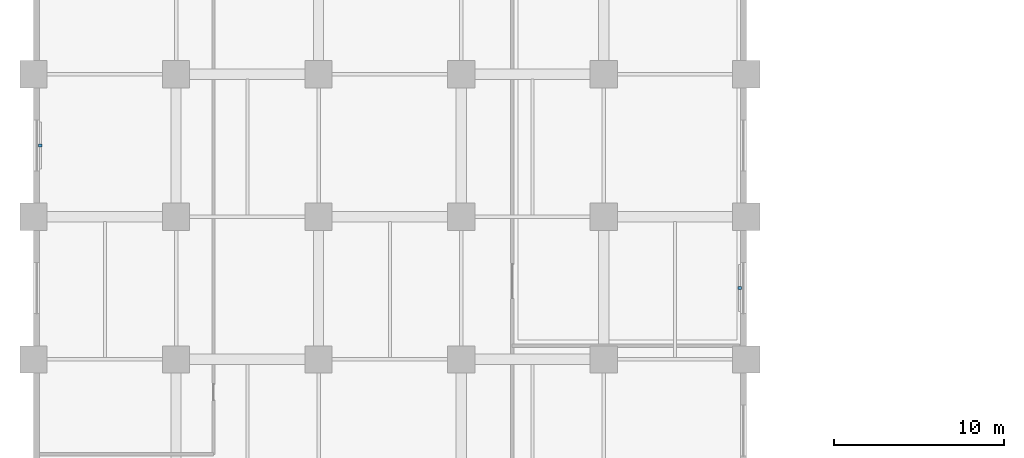
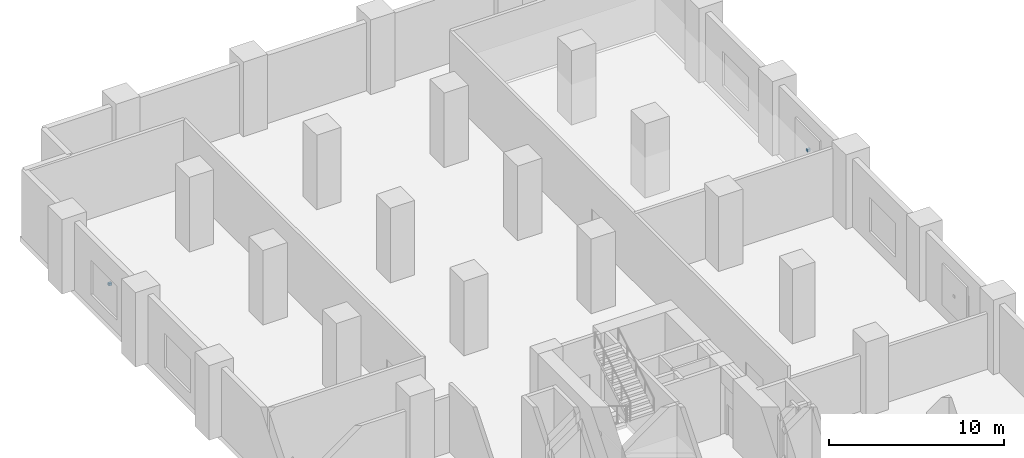
# One storey, part 19 of 23: 2 discrete accessories.
"""IFC4 building model written with IfcOpenShell, lengths in metres."""

import ifcopenshell
import ifcopenshell.guid

model = None  # the IFC model being written
_history = None  # IfcOwnerHistory: only IFC2X3 demands one
_inside = {}  # id of a spatial element -> (the spatial element, [elements in it])
_under = {}  # id of a project, library or spatial element -> (it, [spatial elements below it])
_declared = {}  # id of a project -> (the project, [libraries it declares])
_typed = {}  # id of a type object -> (the type object, [elements of that type])
_made_of = {}  # id of a material, layer set ... -> (it, [elements and type objects made of it])


def new_model(schema):
    """Start an empty IFC model of exactly this schema.

    Asked for "IFC4X3", IfcOpenShell would pick the latest addendum, in which some entities
    have other attributes; the version numbers below select the first issue.
    IFC2X3 requires an IfcOwnerHistory on every rooted entity: one is made here for all.
    """
    global model, _history
    if schema == "IFC4X3":
        model = ifcopenshell.file(schema_version=(4, 3, 0, 0))
    else:
        model = ifcopenshell.file(schema=schema)
    _inside.clear()
    _under.clear()
    _declared.clear()
    _typed.clear()
    _made_of.clear()
    _history = None
    if model.schema == "IFC2X3":
        org = make("IfcOrganization", Name="unknown")
        user = make(
            "IfcPersonAndOrganization",
            ThePerson=make("IfcPerson", FamilyName="unknown"),
            TheOrganization=org,
        )
        app = make(
            "IfcApplication",
            ApplicationDeveloper=org,
            Version="unknown",
            ApplicationFullName="unknown",
            ApplicationIdentifier="unknown",
        )
        _history = make(
            "IfcOwnerHistory",
            OwningUser=user,
            OwningApplication=app,
            ChangeAction="ADDED",
            CreationDate=0,
        )
    return model


def make(cls, **values):
    """One entity of the class cls with the attributes given. An attribute that is None is left unset."""
    return model.create_entity(
        cls, **{name: value for name, value in values.items() if value is not None}
    )


def rooted(cls, **values):
    """An entity with a GlobalId (a new one), such as an element, a storey or a relation."""
    return make(cls, GlobalId=ifcopenshell.guid.new(), OwnerHistory=_history, **values)


def si_unit(unit_type, name, prefix=None):
    """IfcSIUnit, for example si_unit("LENGTHUNIT", "METRE", prefix="MILLI")."""
    return make("IfcSIUnit", UnitType=unit_type, Prefix=prefix, Name=name)


def assignment(units):
    """IfcUnitAssignment: the units of a project."""
    return None if units is None else make("IfcUnitAssignment", Units=units)


def point(xyz):
    """IfcCartesianPoint."""
    return None if xyz is None else make("IfcCartesianPoint", Coordinates=xyz)


def direction(xyz):
    """IfcDirection."""
    return None if xyz is None else make("IfcDirection", DirectionRatios=xyz)


def frame(location, z_axis=None, x_axis=None):
    """IfcAxis2Placement3D, a coordinate frame: its origin and axes. An axis left out is left unset."""
    return make(
        "IfcAxis2Placement3D",
        Location=point(location),
        Axis=direction(z_axis),
        RefDirection=direction(x_axis),
    )


def frame_2d(location, x_axis=None):
    """IfcAxis2Placement2D, a coordinate frame in the plane: its origin and x axis."""
    return make(
        "IfcAxis2Placement2D", Location=point(location), RefDirection=direction(x_axis)
    )


def origin():
    """The frame at (0, 0, 0) with its axes left unset."""
    return frame((0.0, 0.0, 0.0))


def origin_2d():
    """The frame at (0, 0) in the plane with its x axis left unset."""
    return frame_2d((0.0, 0.0))


def place(relative_to, where):
    """IfcLocalPlacement: puts the frame where relative to a parent placement (None: the world)."""
    return make(
        "IfcLocalPlacement", PlacementRelTo=relative_to, RelativePlacement=where
    )


def context(
    kind, dimensions, precision=None, world=None, true_north=None, identifier=None
):
    """IfcGeometricRepresentationContext, for example the 3D "Model" context."""
    return make(
        "IfcGeometricRepresentationContext",
        ContextIdentifier=identifier,
        ContextType=kind,
        CoordinateSpaceDimension=dimensions,
        Precision=precision,
        WorldCoordinateSystem=world,
        TrueNorth=true_north,
    )


def subcontext(parent, identifier, kind, view, scale=None):
    """IfcGeometricRepresentationSubContext, for example "Body" below "Model"."""
    return make(
        "IfcGeometricRepresentationSubContext",
        ContextIdentifier=identifier,
        ContextType=kind,
        ParentContext=parent,
        TargetScale=scale,
        TargetView=view,
    )


def project(units=None, contexts=None):
    """IfcProject with its units and contexts."""
    return rooted(
        "IfcProject",
        Name="project",
        RepresentationContexts=contexts,
        UnitsInContext=assignment(units),
    )


def spatial(cls, under=None, at=None, **own):
    """A site, building, storey or space (cls), placed at a placement, below another one or the project."""
    s = rooted(cls, ObjectPlacement=at, **own)
    if under is not None:
        _under.setdefault(under.id(), (under, []))[1].append(s)
    return s


def profile(cls, at=None, kind="AREA", **sizes):
    """A parametric profile (cls). Its sizes go by their IFC names, for example OverallWidth=200.0."""
    return make(cls, ProfileType=kind, Position=at, **sizes)


def rectangle(**sizes):
    """IfcRectangleProfileDef."""
    return profile("IfcRectangleProfileDef", **sizes)


def extrude(swept, where, along, depth):
    """IfcExtrudedAreaSolid: the profile swept, set in the frame where, extruded along a direction by depth."""
    return make(
        "IfcExtrudedAreaSolid",
        SweptArea=swept,
        Position=where,
        ExtrudedDirection=direction(along),
        Depth=depth,
    )


def shape(context_of_items, identifier, shape_type, items):
    """IfcShapeRepresentation: the items that make up one representation, for example the "Body"."""
    return make(
        "IfcShapeRepresentation",
        ContextOfItems=context_of_items,
        RepresentationIdentifier=identifier,
        RepresentationType=shape_type,
        Items=items,
    )


def material(Name=None, Category=None):
    """IfcMaterial."""
    return make("IfcMaterial", Name=Name, Category=Category)


def made_of(thing, what):
    """Note that an element or type object is made of a material, layer set ...; save() writes the relation."""
    if what is not None:
        _made_of.setdefault(what.id(), (what, []))[1].append(thing)
    return thing


def type_object(cls, material=None, **own):
    """A type object (cls), such as IfcWallType, which elements share."""
    return made_of(rooted(cls, **own), material)


def element(
    cls,
    number,
    at=None,
    inside=None,
    cuts=None,
    type_object=None,
    material=None,
    context=None,
    identifier="Body",
    shape_type=None,
    held_by="IfcProductDefinitionShape",
    body=None,
    shapes=None,
    **own,
):
    """One element of the class cls, such as IfcWall. Its Tag is "e" and its number.

    at: its placement. inside: the storey or other place that contains it. cuts: it is an
    opening in that element (IfcRelVoidsElement). A single representation is given by context,
    identifier, shape_type and body (its items); several are given by shapes. held_by: the class
    of the entity that holds the representations. save() writes the other relations.
    """
    e = rooted(cls, Tag="e%d" % number, ObjectPlacement=at, **own)
    if body is not None:
        shapes = [shape(context, identifier, shape_type, body)]
    if shapes is not None:
        e.Representation = make(held_by, Representations=shapes)
    if inside is not None:
        _inside.setdefault(inside.id(), (inside, []))[1].append(e)
    if cuts is not None:
        rooted(
            "IfcRelVoidsElement", RelatingBuildingElement=cuts, RelatedOpeningElement=e
        )
    if type_object is not None:
        _typed.setdefault(type_object.id(), (type_object, []))[1].append(e)
    return made_of(e, material)


def aggregate(whole, parts):
    """IfcRelAggregates: a whole, such as a stair, and the parts it consists of."""
    return rooted("IfcRelAggregates", RelatingObject=whole, RelatedObjects=parts)


def save(model, path):
    """Write the relations noted so far, then the file.

    IfcRelAggregates (storeys below a building ...), IfcRelContainedInSpatialStructure (elements
    in a storey), IfcRelDefinesByType, IfcRelAssociatesMaterial and IfcRelDeclares: one each for
    every whole, place, type object, material and project.
    """
    for whole, parts in _under.values():
        aggregate(whole, parts)
    for where, things in _inside.values():
        rooted(
            "IfcRelContainedInSpatialStructure",
            RelatedElements=things,
            RelatingStructure=where,
        )
    for kind, things in _typed.values():
        rooted("IfcRelDefinesByType", RelatedObjects=things, RelatingType=kind)
    for what, things in _made_of.values():
        rooted("IfcRelAssociatesMaterial", RelatedObjects=things, RelatingMaterial=what)
    for by, libraries in _declared.values():
        rooted("IfcRelDeclares", RelatingContext=by, RelatedDefinitions=libraries)
    model.write(path)


model = new_model("IFC4")

# Units and contexts
model_context = context("Model", 3, precision=1e-05, world=origin(), true_north=direction((0.0, 1.0)))
body_context = subcontext(model_context, "Body", "Model", "MODEL_VIEW")
ifc_project = project(units=[si_unit("LENGTHUNIT", "METRE"), si_unit("AREAUNIT", "SQUARE_METRE"), si_unit("VOLUMEUNIT", "CUBIC_METRE"), si_unit("PLANEANGLEUNIT", "RADIAN"), si_unit("MASSUNIT", "GRAM", prefix="KILO")], contexts=[model_context])

# Site, building, storey
site_placement = place(None, origin())
site = spatial("IfcSite", under=ifc_project, at=site_placement, CompositionType="ELEMENT")
building_placement = place(site_placement, origin())
building = spatial("IfcBuilding", under=site, at=building_placement, Name="Koriwani Terraces Tower", CompositionType="ELEMENT")
storey_placement = place(building_placement, frame((0.0, 0.0, 20.800048828125)))
storey = spatial("IfcBuildingStorey", under=building, at=storey_placement, Name="L04", CompositionType="ELEMENT", Elevation=20.800048828125)

# Discrete accessories
ifc_material = material(Name="Steel ASTM A572 Grade 50", Category="steel")
discrete_accessory_type = type_object("IfcDiscreteAccessoryType", Name="BAGUETTE_STANDOFF_BRACKET", PredefinedType="BRACKET", material=ifc_material)
for number, where, z_axis, x_axis, name in (
    (1, (0.389892578125, 79.800048828125, 2.28515625), (0.0, 0.0, 1.0), (0.0, 1.0, 0.0), "L04 Terracotta Baguette Bracket (W-27)"),
    (2, (41.610107421875, 71.39990234375, 2.28515625), (0.0, 0.0, 1.0), (0.0, -1.0, 0.0), "L04 Terracotta Baguette Bracket (NW_IN-11)"),
):
    element("IfcDiscreteAccessory", number, at=place(storey_placement, frame(where, z_axis=z_axis, x_axis=x_axis)), inside=storey, type_object=discrete_accessory_type, Name=name, PredefinedType="BRACKET", context=body_context, shape_type="SweptSolid", body=[
        extrude(rectangle(XDim=0.159912109375, YDim=0.199951171875, at=origin_2d()), origin(), (0.0, 0.0, 1.0), 0.179931640625),
    ])

save(model, "model.ifc")
